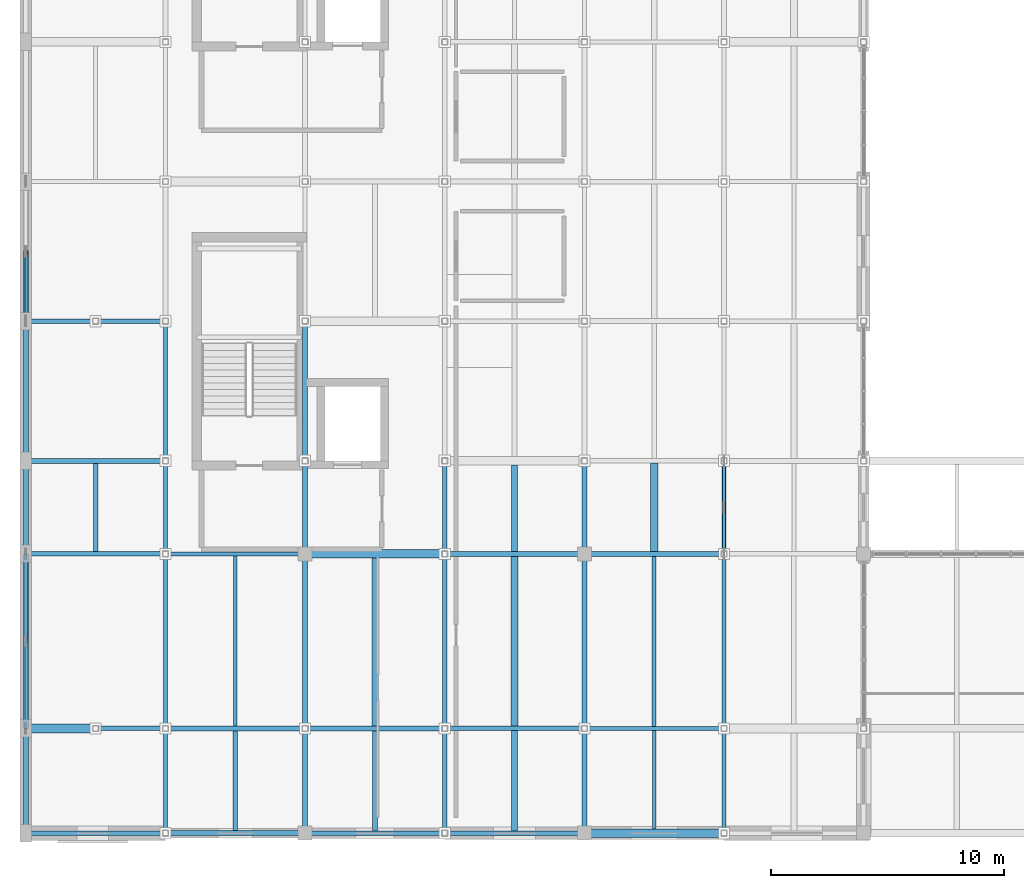
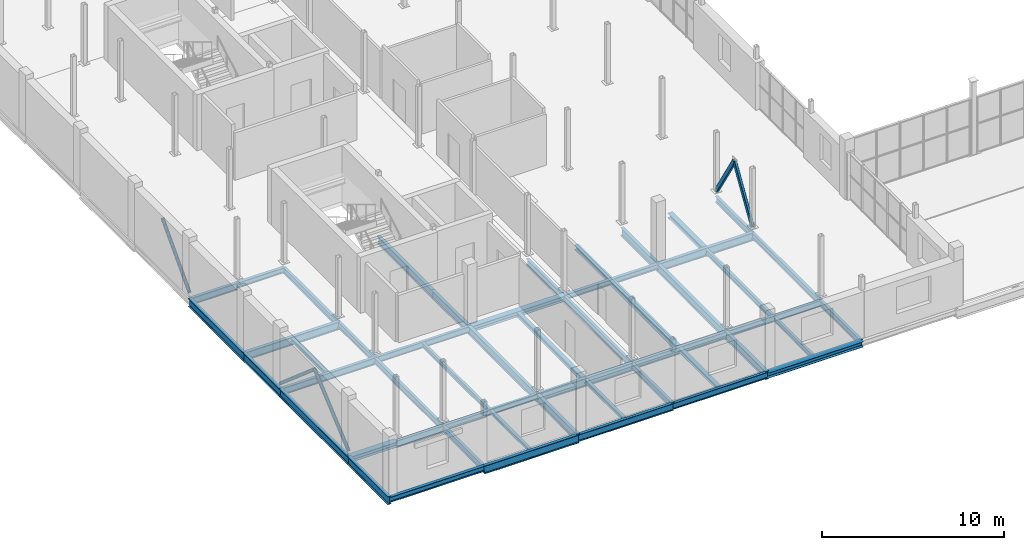
# One storey, part 17 of 96: 51 beams, 5 members.
"""IFC4 building model written with IfcOpenShell, lengths in metres."""

from ifc_helpers import new_model, si_unit, direction, frame, origin, origin_2d, place, context, subcontext, project, spatial, hollow_rectangle, hollow_circle, i_section, extrude, material, material_profile, profile_set, type_object, element, save


model = new_model("IFC4")

# Units and contexts
model_context = context("Model", 3, precision=1e-05, world=origin(), true_north=direction((0.0, 1.0)))
body_context = subcontext(model_context, "Body", "Model", "MODEL_VIEW")
ifc_project = project(units=[si_unit("LENGTHUNIT", "METRE"), si_unit("AREAUNIT", "SQUARE_METRE"), si_unit("VOLUMEUNIT", "CUBIC_METRE"), si_unit("PLANEANGLEUNIT", "RADIAN"), si_unit("MASSUNIT", "GRAM", prefix="KILO")], contexts=[model_context])

# Site, building, storey
site_placement = place(None, origin())
site = spatial("IfcSite", under=ifc_project, at=site_placement, CompositionType="ELEMENT")
building_placement = place(site_placement, origin())
building = spatial("IfcBuilding", under=site, at=building_placement, Name="Verrall Gate Interchange", CompositionType="ELEMENT")
storey_placement = place(building_placement, frame((0.0, 0.0, 11.39990234375)))
storey = spatial("IfcBuildingStorey", under=building, at=storey_placement, Name="L03", CompositionType="ELEMENT", Elevation=11.39990234375)

# Beams
ifc_material_1 = material(Name="Structural Steel CSA G40.21 350W", Category="steel")
ifc_material_profile_1 = material_profile(ifc_material_1, i_section(OverallWidth=0.2109375, OverallDepth=0.5390625, WebThickness=0.01171875, FlangeThickness=0.018798828125, FilletRadius=0.013916015625, at=origin_2d()), Name="W530x109")
ifc_profile_set_1 = profile_set([ifc_material_profile_1], Name="Structural Steel CSA G40.21 350W")
beam_type_1 = type_object("IfcBeamType", Name="B-10 Structural Beam W530x109", PredefinedType="BEAM", material=ifc_profile_set_1)
for number, where, z_axis, x_axis, name in (
    (1, (6.0, 0.0, -0.599365234375), (1.0, 0.0, 0.0), (0.0, 1.0, 0.0), "L03 Girder BM-L03-1976 (B-10)"),
    (2, (12.0, 4.5, -0.599365234375), (1.0, 0.0, 0.0), (0.0, 1.0, 0.0), "L03 Girder BM-L03-1993 (B-10)"),
    (3, (24.0, 12.0, -0.599365234375), (1.0, 0.0, 0.0), (0.0, 1.0, 0.0), "L03 Girder BM-L03-2010 (B-10)"),
    (4, (0.0, 16.0, -0.599365234375), (1.0, 0.0, 0.0), (0.0, 1.0, 0.0), "L03 Girder BM-L03-2027 (B-10)"),
):
    element("IfcBeam", number, at=place(storey_placement, frame(where, z_axis=z_axis, x_axis=x_axis)), inside=storey, type_object=beam_type_1, Name=name, PredefinedType="BEAM", context=body_context, shape_type="SweptSolid", body=[
        extrude(i_section(OverallWidth=0.2109375, OverallDepth=0.5390625, WebThickness=0.01171875, FlangeThickness=0.018798828125, FilletRadius=0.013916015625, at=origin_2d()), origin(), (0.0, 0.0, 1.0), 6.0),
    ])
beam_1_placement = place(storey_placement, frame((0.0, 0.0, -0.599365234375), z_axis=(0.0, 1.0, 0.0), x_axis=(-1.0, 0.0, 0.0)))
element("IfcBeam", 5, at=beam_1_placement, inside=storey, type_object=beam_type_1, Name="L03 Girder BM-L03-2173 (B-10)", PredefinedType="BEAM", context=body_context, shape_type="SweptSolid", body=[
    extrude(i_section(OverallWidth=0.2109375, OverallDepth=0.5390625, WebThickness=0.01171875, FlangeThickness=0.018798828125, FilletRadius=0.013916015625, at=origin_2d()), origin(), (0.0, 0.0, 1.0), 4.5),
])
beam_2_placement = place(storey_placement, frame((0.0, 4.5, -0.599365234375), z_axis=(0.0, 1.0, 0.0), x_axis=(-1.0, 0.0, 0.0)))
element("IfcBeam", 6, at=beam_2_placement, inside=storey, type_object=beam_type_1, Name="L03 Girder BM-L03-2174 (B-10)", PredefinedType="BEAM", context=body_context, shape_type="SweptSolid", body=[
    extrude(i_section(OverallWidth=0.2109375, OverallDepth=0.5390625, WebThickness=0.01171875, FlangeThickness=0.018798828125, FilletRadius=0.013916015625, at=origin_2d()), origin(), (0.0, 0.0, 1.0), 7.5),
])
beam_3_placement = place(storey_placement, frame((0.0, 12.0, -0.599365234375), z_axis=(0.0, 1.0, 0.0), x_axis=(-1.0, 0.0, 0.0)))
element("IfcBeam", 7, at=beam_3_placement, inside=storey, type_object=beam_type_1, Name="L03 Girder BM-L03-2175 (B-10)", PredefinedType="BEAM", context=body_context, shape_type="SweptSolid", body=[
    extrude(i_section(OverallWidth=0.2109375, OverallDepth=0.5390625, WebThickness=0.01171875, FlangeThickness=0.018798828125, FilletRadius=0.013916015625, at=origin_2d()), origin(), (0.0, 0.0, 1.0), 4.0),
])
beam_4_placement = place(storey_placement, frame((0.0, 16.0, -0.599365234375), z_axis=(0.0, 1.0, 0.0), x_axis=(-1.0, 0.0, 0.0)))
element("IfcBeam", 8, at=beam_4_placement, inside=storey, type_object=beam_type_1, Name="L03 Girder BM-L03-2176 (B-10)", PredefinedType="BEAM", context=body_context, shape_type="SweptSolid", body=[
    extrude(i_section(OverallWidth=0.2109375, OverallDepth=0.5390625, WebThickness=0.01171875, FlangeThickness=0.018798828125, FilletRadius=0.013916015625, at=origin_2d()), origin(), (0.0, 0.0, 1.0), 6.0),
])
beam_5_placement = place(storey_placement, frame((12.0, 0.0, -0.599365234375), z_axis=(0.0, 1.0, 0.0), x_axis=(-1.0, 0.0, 0.0)))
element("IfcBeam", 9, at=beam_5_placement, inside=storey, type_object=beam_type_1, Name="L03 Girder BM-L03-2202 (B-10)", PredefinedType="BEAM", context=body_context, shape_type="SweptSolid", body=[
    extrude(i_section(OverallWidth=0.2109375, OverallDepth=0.5390625, WebThickness=0.01171875, FlangeThickness=0.018798828125, FilletRadius=0.013916015625, at=origin_2d()), origin(), (0.0, 0.0, 1.0), 4.5),
])
beam_6_placement = place(storey_placement, frame((12.0, 4.5, -0.599365234375), z_axis=(0.0, 1.0, 0.0), x_axis=(-1.0, 0.0, 0.0)))
element("IfcBeam", 10, at=beam_6_placement, inside=storey, type_object=beam_type_1, Name="L03 Girder BM-L03-2203 (B-10)", PredefinedType="BEAM", context=body_context, shape_type="SweptSolid", body=[
    extrude(i_section(OverallWidth=0.2109375, OverallDepth=0.5390625, WebThickness=0.01171875, FlangeThickness=0.018798828125, FilletRadius=0.013916015625, at=origin_2d()), origin(), (0.0, 0.0, 1.0), 7.5),
])
beam_7_placement = place(storey_placement, frame((12.0, 12.0, -0.599365234375), z_axis=(0.0, 1.0, 0.0), x_axis=(-1.0, 0.0, 0.0)))
element("IfcBeam", 11, at=beam_7_placement, inside=storey, type_object=beam_type_1, Name="L03 Girder BM-L03-2204 (B-10)", PredefinedType="BEAM", context=body_context, shape_type="SweptSolid", body=[
    extrude(i_section(OverallWidth=0.2109375, OverallDepth=0.5390625, WebThickness=0.01171875, FlangeThickness=0.018798828125, FilletRadius=0.013916015625, at=origin_2d()), origin(), (0.0, 0.0, 1.0), 4.0),
])
beam_8_placement = place(storey_placement, frame((12.0, 16.0, -0.599365234375), z_axis=(0.0, 1.0, 0.0), x_axis=(-1.0, 0.0, 0.0)))
element("IfcBeam", 12, at=beam_8_placement, inside=storey, type_object=beam_type_1, Name="L03 Girder BM-L03-2205 (B-10)", PredefinedType="BEAM", context=body_context, shape_type="SweptSolid", body=[
    extrude(i_section(OverallWidth=0.2109375, OverallDepth=0.5390625, WebThickness=0.01171875, FlangeThickness=0.018798828125, FilletRadius=0.013916015625, at=origin_2d()), origin(), (0.0, 0.0, 1.0), 6.0),
])
beam_9_placement = place(storey_placement, frame((24.0, 0.0, -0.599365234375), z_axis=(0.0, 1.0, 0.0), x_axis=(-1.0, 0.0, 0.0)))
element("IfcBeam", 13, at=beam_9_placement, inside=storey, type_object=beam_type_1, Name="L03 Girder BM-L03-2230 (B-10)", PredefinedType="BEAM", context=body_context, shape_type="SweptSolid", body=[
    extrude(i_section(OverallWidth=0.2109375, OverallDepth=0.5390625, WebThickness=0.01171875, FlangeThickness=0.018798828125, FilletRadius=0.013916015625, at=origin_2d()), origin(), (0.0, 0.0, 1.0), 4.5),
])
beam_10_placement = place(storey_placement, frame((24.0, 4.5, -0.599365234375), z_axis=(0.0, 1.0, 0.0), x_axis=(-1.0, 0.0, 0.0)))
element("IfcBeam", 14, at=beam_10_placement, inside=storey, type_object=beam_type_1, Name="L03 Girder BM-L03-2231 (B-10)", PredefinedType="BEAM", context=body_context, shape_type="SweptSolid", body=[
    extrude(i_section(OverallWidth=0.2109375, OverallDepth=0.5390625, WebThickness=0.01171875, FlangeThickness=0.018798828125, FilletRadius=0.013916015625, at=origin_2d()), origin(), (0.0, 0.0, 1.0), 7.5),
])
beam_11_placement = place(storey_placement, frame((24.0, 12.0, -0.599365234375), z_axis=(0.0, 1.0, 0.0), x_axis=(-1.0, 0.0, 0.0)))
element("IfcBeam", 15, at=beam_11_placement, inside=storey, type_object=beam_type_1, Name="L03 Girder BM-L03-2232 (B-10)", PredefinedType="BEAM", context=body_context, shape_type="SweptSolid", body=[
    extrude(i_section(OverallWidth=0.2109375, OverallDepth=0.5390625, WebThickness=0.01171875, FlangeThickness=0.018798828125, FilletRadius=0.013916015625, at=origin_2d()), origin(), (0.0, 0.0, 1.0), 4.0),
])
ifc_material_2 = material(Name="Structural Steel CSA G40.21 350W", Category="steel")
ifc_material_profile_2 = material_profile(ifc_material_2, i_section(OverallWidth=0.19189453125, OverallDepth=0.462890625, WebThickness=0.010498046875, FlangeThickness=0.017578125, FilletRadius=0.012939453125, at=origin_2d()), Name="W460x89")
ifc_profile_set_2 = profile_set([ifc_material_profile_2], Name="Structural Steel CSA G40.21 350W")
beam_type_2 = type_object("IfcBeamType", Name="B-11 Structural Beam W460x89", PredefinedType="BEAM", material=ifc_profile_set_2)
beam_12_placement = place(storey_placement, frame((12.0, 0.0, -0.5615234375), z_axis=(1.0, 0.0, 0.0), x_axis=(0.0, 1.0, 0.0)))
element("IfcBeam", 16, at=beam_12_placement, inside=storey, type_object=beam_type_2, Name="L03 Girder BM-L03-1977 (B-11)", PredefinedType="BEAM", context=body_context, shape_type="SweptSolid", body=[
    extrude(i_section(OverallWidth=0.19189453125, OverallDepth=0.462890625, WebThickness=0.010498046875, FlangeThickness=0.017578125, FilletRadius=0.012939453125, at=origin_2d()), origin(), (0.0, 0.0, 1.0), 6.0),
])
beam_13_placement = place(storey_placement, frame((3.0, 4.5, -0.5615234375), z_axis=(1.0, 0.0, 0.0), x_axis=(0.0, 1.0, 0.0)))
element("IfcBeam", 17, at=beam_13_placement, inside=storey, type_object=beam_type_2, Name="L03 Girder BM-L03-1991 (B-11)", PredefinedType="BEAM", context=body_context, shape_type="SweptSolid", body=[
    extrude(i_section(OverallWidth=0.19189453125, OverallDepth=0.462890625, WebThickness=0.010498046875, FlangeThickness=0.017578125, FilletRadius=0.012939453125, at=origin_2d()), origin(), (0.0, 0.0, 1.0), 3.0),
])
for number, where, z_axis, x_axis, name in (
    (18, (18.0, 4.5, -0.5615234375), (1.0, 0.0, 0.0), (0.0, 1.0, 0.0), "L03 Girder BM-L03-1994 (B-11)"),
    (19, (0.0, 12.0, -0.5615234375), (1.0, 0.0, 0.0), (0.0, 1.0, 0.0), "L03 Girder BM-L03-2006 (B-11)"),
):
    element("IfcBeam", number, at=place(storey_placement, frame(where, z_axis=z_axis, x_axis=x_axis)), inside=storey, type_object=beam_type_2, Name=name, PredefinedType="BEAM", context=body_context, shape_type="SweptSolid", body=[
        extrude(i_section(OverallWidth=0.19189453125, OverallDepth=0.462890625, WebThickness=0.010498046875, FlangeThickness=0.017578125, FilletRadius=0.012939453125, at=origin_2d()), origin(), (0.0, 0.0, 1.0), 6.0),
    ])
beam_14_placement = place(storey_placement, frame((0.0, 22.0, -0.5615234375), z_axis=(1.0, 0.0, 0.0), x_axis=(0.0, 1.0, 0.0)))
element("IfcBeam", 20, at=beam_14_placement, inside=storey, type_object=beam_type_2, Name="L03 Girder BM-L03-2044 (B-11)", PredefinedType="BEAM", context=body_context, shape_type="SweptSolid", body=[
    extrude(i_section(OverallWidth=0.19189453125, OverallDepth=0.462890625, WebThickness=0.010498046875, FlangeThickness=0.017578125, FilletRadius=0.012939453125, at=origin_2d()), origin(), (0.0, 0.0, 1.0), 3.0),
])
ifc_material_3 = material(Name="Structural Steel CSA G40.21 350W", Category="steel")
ifc_material_profile_3 = material_profile(ifc_material_3, i_section(OverallWidth=0.178955078125, OverallDepth=0.409912109375, WebThickness=0.0087890625, FlangeThickness=0.014404296875, FilletRadius=0.011962890625, at=origin_2d()), Name="W410x67")
ifc_profile_set_3 = profile_set([ifc_material_profile_3], Name="Structural Steel CSA G40.21 350W")
beam_type_3 = type_object("IfcBeamType", Name="B-12 Structural Beam W410x67", PredefinedType="BEAM", material=ifc_profile_set_3)
for number, where, z_axis, x_axis, name in (
    (21, (18.0, 0.0, -0.534912109375), (1.0, 0.0, 0.0), (0.0, 1.0, 0.0), "L03 Girder BM-L03-1978 (B-12)"),
    (22, (24.0, 4.5, -0.534912109375), (1.0, 0.0, 0.0), (0.0, 1.0, 0.0), "L03 Girder BM-L03-1995 (B-12)"),
    (23, (6.0, 12.0, -0.534912109375), (1.0, 0.0, 0.0), (0.0, 1.0, 0.0), "L03 Girder BM-L03-2007 (B-12)"),
):
    element("IfcBeam", number, at=place(storey_placement, frame(where, z_axis=z_axis, x_axis=x_axis)), inside=storey, type_object=beam_type_3, Name=name, PredefinedType="BEAM", context=body_context, shape_type="SweptSolid", body=[
        extrude(i_section(OverallWidth=0.178955078125, OverallDepth=0.409912109375, WebThickness=0.0087890625, FlangeThickness=0.014404296875, FilletRadius=0.011962890625, at=origin_2d()), origin(), (0.0, 0.0, 1.0), 6.0),
    ])
beam_15_placement = place(storey_placement, frame((6.0, 0.0, -0.534912109375), z_axis=(0.0, 1.0, 0.0), x_axis=(-1.0, 0.0, 0.0)))
element("IfcBeam", 24, at=beam_15_placement, inside=storey, type_object=beam_type_3, Name="L03 Girder BM-L03-2188 (B-12)", PredefinedType="BEAM", context=body_context, shape_type="SweptSolid", body=[
    extrude(i_section(OverallWidth=0.178955078125, OverallDepth=0.409912109375, WebThickness=0.0087890625, FlangeThickness=0.014404296875, FilletRadius=0.011962890625, at=origin_2d()), origin(), (0.0, 0.0, 1.0), 4.5),
])
beam_16_placement = place(storey_placement, frame((6.0, 4.5, -0.534912109375), z_axis=(0.0, 1.0, 0.0), x_axis=(-1.0, 0.0, 0.0)))
element("IfcBeam", 25, at=beam_16_placement, inside=storey, type_object=beam_type_3, Name="L03 Girder BM-L03-2189 (B-12)", PredefinedType="BEAM", context=body_context, shape_type="SweptSolid", body=[
    extrude(i_section(OverallWidth=0.178955078125, OverallDepth=0.409912109375, WebThickness=0.0087890625, FlangeThickness=0.014404296875, FilletRadius=0.011962890625, at=origin_2d()), origin(), (0.0, 0.0, 1.0), 7.5),
])
beam_17_placement = place(storey_placement, frame((6.0, 12.0, -0.534912109375), z_axis=(0.0, 1.0, 0.0), x_axis=(-1.0, 0.0, 0.0)))
element("IfcBeam", 26, at=beam_17_placement, inside=storey, type_object=beam_type_3, Name="L03 Girder BM-L03-2190 (B-12)", PredefinedType="BEAM", context=body_context, shape_type="SweptSolid", body=[
    extrude(i_section(OverallWidth=0.178955078125, OverallDepth=0.409912109375, WebThickness=0.0087890625, FlangeThickness=0.014404296875, FilletRadius=0.011962890625, at=origin_2d()), origin(), (0.0, 0.0, 1.0), 4.0),
])
beam_18_placement = place(storey_placement, frame((6.0, 16.0, -0.534912109375), z_axis=(0.0, 1.0, 0.0), x_axis=(-1.0, 0.0, 0.0)))
element("IfcBeam", 27, at=beam_18_placement, inside=storey, type_object=beam_type_3, Name="L03 Girder BM-L03-2191 (B-12)", PredefinedType="BEAM", context=body_context, shape_type="SweptSolid", body=[
    extrude(i_section(OverallWidth=0.178955078125, OverallDepth=0.409912109375, WebThickness=0.0087890625, FlangeThickness=0.014404296875, FilletRadius=0.011962890625, at=origin_2d()), origin(), (0.0, 0.0, 1.0), 6.0),
])
beam_19_placement = place(storey_placement, frame((18.0, 0.0, -0.534912109375), z_axis=(0.0, 1.0, 0.0), x_axis=(-1.0, 0.0, 0.0)))
element("IfcBeam", 28, at=beam_19_placement, inside=storey, type_object=beam_type_3, Name="L03 Girder BM-L03-2216 (B-12)", PredefinedType="BEAM", context=body_context, shape_type="SweptSolid", body=[
    extrude(i_section(OverallWidth=0.178955078125, OverallDepth=0.409912109375, WebThickness=0.0087890625, FlangeThickness=0.014404296875, FilletRadius=0.011962890625, at=origin_2d()), origin(), (0.0, 0.0, 1.0), 4.5),
])
beam_20_placement = place(storey_placement, frame((18.0, 4.5, -0.534912109375), z_axis=(0.0, 1.0, 0.0), x_axis=(-1.0, 0.0, 0.0)))
element("IfcBeam", 29, at=beam_20_placement, inside=storey, type_object=beam_type_3, Name="L03 Girder BM-L03-2217 (B-12)", PredefinedType="BEAM", context=body_context, shape_type="SweptSolid", body=[
    extrude(i_section(OverallWidth=0.178955078125, OverallDepth=0.409912109375, WebThickness=0.0087890625, FlangeThickness=0.014404296875, FilletRadius=0.011962890625, at=origin_2d()), origin(), (0.0, 0.0, 1.0), 7.5),
])
beam_21_placement = place(storey_placement, frame((18.0, 12.0, -0.534912109375), z_axis=(0.0, 1.0, 0.0), x_axis=(-1.0, 0.0, 0.0)))
element("IfcBeam", 30, at=beam_21_placement, inside=storey, type_object=beam_type_3, Name="L03 Girder BM-L03-2218 (B-12)", PredefinedType="BEAM", context=body_context, shape_type="SweptSolid", body=[
    extrude(i_section(OverallWidth=0.178955078125, OverallDepth=0.409912109375, WebThickness=0.0087890625, FlangeThickness=0.014404296875, FilletRadius=0.011962890625, at=origin_2d()), origin(), (0.0, 0.0, 1.0), 4.0),
])
beam_22_placement = place(storey_placement, frame((30.0, 0.0, -0.534912109375), z_axis=(0.0, 1.0, 0.0), x_axis=(-1.0, 0.0, 0.0)))
element("IfcBeam", 31, at=beam_22_placement, inside=storey, type_object=beam_type_3, Name="L03 Girder BM-L03-2244 (B-12)", PredefinedType="BEAM", context=body_context, shape_type="SweptSolid", body=[
    extrude(i_section(OverallWidth=0.178955078125, OverallDepth=0.409912109375, WebThickness=0.0087890625, FlangeThickness=0.014404296875, FilletRadius=0.011962890625, at=origin_2d()), origin(), (0.0, 0.0, 1.0), 4.5),
])
beam_23_placement = place(storey_placement, frame((30.0, 4.5, -0.534912109375), z_axis=(0.0, 1.0, 0.0), x_axis=(-1.0, 0.0, 0.0)))
element("IfcBeam", 32, at=beam_23_placement, inside=storey, type_object=beam_type_3, Name="L03 Girder BM-L03-2245 (B-12)", PredefinedType="BEAM", context=body_context, shape_type="SweptSolid", body=[
    extrude(i_section(OverallWidth=0.178955078125, OverallDepth=0.409912109375, WebThickness=0.0087890625, FlangeThickness=0.014404296875, FilletRadius=0.011962890625, at=origin_2d()), origin(), (0.0, 0.0, 1.0), 7.5),
])
beam_24_placement = place(storey_placement, frame((30.0, 12.0, -0.534912109375), z_axis=(0.0, 1.0, 0.0), x_axis=(-1.0, 0.0, 0.0)))
element("IfcBeam", 33, at=beam_24_placement, inside=storey, type_object=beam_type_3, Name="L03 Girder BM-L03-2246 (B-12)", PredefinedType="BEAM", context=body_context, shape_type="SweptSolid", body=[
    extrude(i_section(OverallWidth=0.178955078125, OverallDepth=0.409912109375, WebThickness=0.0087890625, FlangeThickness=0.014404296875, FilletRadius=0.011962890625, at=origin_2d()), origin(), (0.0, 0.0, 1.0), 4.0),
])
ifc_material_4 = material(Name="Structural Steel CSA G40.21 350W", Category="steel")
ifc_material_profile_4 = material_profile(ifc_material_4, i_section(OverallWidth=0.368896484375, OverallDepth=0.35595703125, WebThickness=0.01123046875, FlangeThickness=0.01806640625, FilletRadius=0.014892578125, at=origin_2d()), Name="W360x134")
ifc_profile_set_4 = profile_set([ifc_material_profile_4], Name="Structural Steel CSA G40.21 350W")
beam_type_4 = type_object("IfcBeamType", Name="B-13 Structural Beam W360x134", PredefinedType="BEAM", material=ifc_profile_set_4)
beam_25_placement = place(storey_placement, frame((24.0, 0.0, -0.5078125), z_axis=(1.0, 0.0, 0.0), x_axis=(0.0, 1.0, 0.0)))
element("IfcBeam", 34, at=beam_25_placement, inside=storey, type_object=beam_type_4, Name="L03 Girder BM-L03-1979 (B-13)", PredefinedType="BEAM", context=body_context, shape_type="SweptSolid", body=[
    extrude(i_section(OverallWidth=0.368896484375, OverallDepth=0.35595703125, WebThickness=0.01123046875, FlangeThickness=0.01806640625, FilletRadius=0.014892578125, at=origin_2d()), origin(), (0.0, 0.0, 1.0), 6.0),
])
beam_26_placement = place(storey_placement, frame((0.0, 4.5, -0.5078125), z_axis=(1.0, 0.0, 0.0), x_axis=(0.0, 1.0, 0.0)))
element("IfcBeam", 35, at=beam_26_placement, inside=storey, type_object=beam_type_4, Name="L03 Girder BM-L03-1990 (B-13)", PredefinedType="BEAM", context=body_context, shape_type="SweptSolid", body=[
    extrude(i_section(OverallWidth=0.368896484375, OverallDepth=0.35595703125, WebThickness=0.01123046875, FlangeThickness=0.01806640625, FilletRadius=0.014892578125, at=origin_2d()), origin(), (0.0, 0.0, 1.0), 3.0),
])
beam_27_placement = place(storey_placement, frame((12.0, 12.0, -0.5078125), z_axis=(1.0, 0.0, 0.0), x_axis=(0.0, 1.0, 0.0)))
element("IfcBeam", 36, at=beam_27_placement, inside=storey, type_object=beam_type_4, Name="L03 Girder BM-L03-2008 (B-13)", PredefinedType="BEAM", context=body_context, shape_type="SweptSolid", body=[
    extrude(i_section(OverallWidth=0.368896484375, OverallDepth=0.35595703125, WebThickness=0.01123046875, FlangeThickness=0.01806640625, FilletRadius=0.014892578125, at=origin_2d()), origin(), (0.0, 0.0, 1.0), 6.0),
])
ifc_material_5 = material(Name="Structural Steel CSA G40.21 350W", Category="steel")
ifc_material_profile_5 = material_profile(ifc_material_5, i_section(OverallWidth=0.205078125, OverallDepth=0.35400390625, WebThickness=0.009521484375, FlangeThickness=0.016845703125, FilletRadius=0.012939453125, at=origin_2d()), Name="W360x79")
ifc_profile_set_5 = profile_set([ifc_material_profile_5], Name="Structural Steel CSA G40.21 350W")
beam_type_5 = type_object("IfcBeamType", Name="B-14 Structural Beam W360x79", PredefinedType="BEAM", material=ifc_profile_set_5)
for number, where, z_axis, x_axis, name in (
    (37, (0.0, 0.0, -0.5068359375), (1.0, 0.0, 0.0), (0.0, 1.0, 0.0), "L03 Girder BM-L03-1975 (B-14)"),
    (38, (6.0, 4.5, -0.5068359375), (1.0, 0.0, 0.0), (0.0, 1.0, 0.0), "L03 Girder BM-L03-1992 (B-14)"),
    (39, (18.0, 12.0, -0.5068359375), (1.0, 0.0, 0.0), (0.0, 1.0, 0.0), "L03 Girder BM-L03-2009 (B-14)"),
):
    element("IfcBeam", number, at=place(storey_placement, frame(where, z_axis=z_axis, x_axis=x_axis)), inside=storey, type_object=beam_type_5, Name=name, PredefinedType="BEAM", context=body_context, shape_type="SweptSolid", body=[
        extrude(i_section(OverallWidth=0.205078125, OverallDepth=0.35400390625, WebThickness=0.009521484375, FlangeThickness=0.016845703125, FilletRadius=0.012939453125, at=origin_2d()), origin(), (0.0, 0.0, 1.0), 6.0),
    ])
beam_28_placement = place(storey_placement, frame((3.0, 22.0, -0.5068359375), z_axis=(1.0, 0.0, 0.0), x_axis=(0.0, 1.0, 0.0)))
element("IfcBeam", 40, at=beam_28_placement, inside=storey, type_object=beam_type_5, Name="L03 Girder BM-L03-2045 (B-14)", PredefinedType="BEAM", context=body_context, shape_type="SweptSolid", body=[
    extrude(i_section(OverallWidth=0.205078125, OverallDepth=0.35400390625, WebThickness=0.009521484375, FlangeThickness=0.016845703125, FilletRadius=0.012939453125, at=origin_2d()), origin(), (0.0, 0.0, 1.0), 3.0),
])

# Members
ifc_material_6 = material(Name="Structural Steel CSA G40.21 350W", Category="steel")
ifc_material_profile_6 = material_profile(ifc_material_6, hollow_circle(Radius=0.109619140625, WallThickness=0.008056640625, at=origin_2d()), Name="HSS219x8.0")
ifc_profile_set_6 = profile_set([ifc_material_profile_6], Name="Structural Steel CSA G40.21 350W")
member_type_1 = type_object("IfcMemberType", Name="BR-02 Diagonal Brace HSS219x8.0", PredefinedType="BRACE", material=ifc_profile_set_6)
for number, where, z_axis, x_axis, name in (
    (41, (0.0, 4.5, 0.0), (0.0, 0.758663581556, 0.651482593797), (-1.0, 0.0, 0.0), "Chevron Brace CBF1 L03 Leg A"),
    (42, (0.0, 12.0, 0.0), (0.0, -0.758663581556, 0.651482593797), (1.0, 0.0, 0.0), "Chevron Brace CBF1 L03 Leg B"),
):
    element("IfcMember", number, at=place(storey_placement, frame(where, z_axis=z_axis, x_axis=x_axis)), inside=storey, type_object=member_type_1, Name=name, PredefinedType="BRACE", context=body_context, shape_type="SweptSolid", body=[
        extrude(hollow_circle(Radius=0.109619140625, WallThickness=0.008056640625, at=origin_2d()), origin(), (0.0, 0.0, 1.0), 4.94287109375),
    ])
member_placement = place(storey_placement, frame((0.0, 22.0, 0.0), z_axis=(0.0, 0.681645967553, 0.731682154299), x_axis=(-1.0, 0.0, 0.0)))
element("IfcMember", 43, at=member_placement, inside=storey, type_object=member_type_1, Name="Chevron Brace CBF2 L03 Leg A", PredefinedType="BRACE", context=body_context, shape_type="SweptSolid", body=[
    extrude(hollow_circle(Radius=0.109619140625, WallThickness=0.008056640625, at=origin_2d()), origin(), (0.0, 0.0, 1.0), 4.401123046875),
])
ifc_material_7 = material(Name="Structural Steel CSA G40.21 350W", Category="steel")
ifc_material_profile_7 = material_profile(ifc_material_7, hollow_rectangle(XDim=0.152099609375, YDim=0.25390625, WallThickness=0.009521484375, InnerFilletRadius=0.009521484375, OuterFilletRadius=0.01904296875, at=origin_2d()), Name="HSS254x152x9.5")
ifc_profile_set_7 = profile_set([ifc_material_profile_7], Name="Structural Steel CSA G40.21 350W")
member_type_2 = type_object("IfcMemberType", Name="BR-05 Diagonal Brace HSS254x152x9.5", PredefinedType="BRACE", material=ifc_profile_set_7)
for number, where, z_axis, x_axis, name in (
    (44, (30.0, 12.0, 0.0), (0.0, 0.527600114435, 0.849492860034), (-1.0, 0.0, 0.0), "Chevron Brace CBF5 L03 Leg A"),
    (45, (30.0, 16.0, 0.0), (0.0, -0.527600114435, 0.849492860034), (1.0, 0.0, 0.0), "Chevron Brace CBF5 L03 Leg B"),
):
    element("IfcMember", number, at=place(storey_placement, frame(where, z_axis=z_axis, x_axis=x_axis)), inside=storey, type_object=member_type_2, Name=name, PredefinedType="BRACE", context=body_context, shape_type="SweptSolid", body=[
        extrude(hollow_rectangle(XDim=0.152099609375, YDim=0.25390625, WallThickness=0.009521484375, InnerFilletRadius=0.009521484375, OuterFilletRadius=0.01904296875, at=origin_2d()), origin(), (0.0, 0.0, 1.0), 3.790771484375),
    ])

# Beams
ifc_material_8 = material(Name="Structural Steel CSA G40.21 350W", Category="steel")
ifc_material_profile_8 = material_profile(ifc_material_8, i_section(OverallWidth=0.172119140625, OverallDepth=0.35791015625, WebThickness=0.0078125, FlangeThickness=0.01318359375, FilletRadius=0.010986328125, at=origin_2d()), Name="W360x57")
ifc_profile_set_8 = profile_set([ifc_material_profile_8], Name="Structural Steel CSA G40.21 350W")
beam_type_6 = type_object("IfcBeamType", Name="J-01 Floor Joist W360x57", PredefinedType="JOIST", material=ifc_profile_set_8)
beam_29_placement = place(storey_placement, frame((27.0, 4.589599609375, -0.5087890625), z_axis=(0.0, 1.0, 0.0), x_axis=(-1.0, 0.0, 0.0)))
element("IfcBeam", 46, at=beam_29_placement, inside=storey, type_object=beam_type_6, Name="L03 Secondary Floor Joist JST-L03-2396", PredefinedType="JOIST", context=body_context, shape_type="SweptSolid", body=[
    extrude(i_section(OverallWidth=0.172119140625, OverallDepth=0.35791015625, WebThickness=0.0078125, FlangeThickness=0.01318359375, FilletRadius=0.010986328125, at=origin_2d()), origin(), (0.0, 0.0, 1.0), 7.304931640625),
])
ifc_material_9 = material(Name="Structural Steel CSA G40.21 350W", Category="steel")
ifc_material_profile_9 = material_profile(ifc_material_9, i_section(OverallWidth=0.306884765625, OverallDepth=0.31396484375, WebThickness=0.011962890625, FlangeThickness=0.018798828125, FilletRadius=0.013916015625, at=origin_2d()), Name="W310x118")
ifc_profile_set_9 = profile_set([ifc_material_profile_9], Name="Structural Steel CSA G40.21 350W")
beam_type_7 = type_object("IfcBeamType", Name="J-02 Floor Joist W310x118", PredefinedType="JOIST", material=ifc_profile_set_9)
beam_30_placement = place(storey_placement, frame((21.0, 4.595947265625, -0.48681640625), z_axis=(0.0, 1.0, 0.0), x_axis=(-1.0, 0.0, 0.0)))
element("IfcBeam", 47, at=beam_30_placement, inside=storey, type_object=beam_type_7, Name="L03 Secondary Floor Joist JST-L03-2395", PredefinedType="JOIST", context=body_context, shape_type="SweptSolid", body=[
    extrude(i_section(OverallWidth=0.306884765625, OverallDepth=0.31396484375, WebThickness=0.011962890625, FlangeThickness=0.018798828125, FilletRadius=0.013916015625, at=origin_2d()), origin(), (0.0, 0.0, 1.0), 7.301513671875),
])
beam_31_placement = place(storey_placement, frame((27.0, 12.10546875, -0.48681640625), z_axis=(0.0, 1.0, 0.0), x_axis=(-1.0, 0.0, 0.0)))
element("IfcBeam", 48, at=beam_31_placement, inside=storey, type_object=beam_type_7, Name="L03 Secondary Floor Joist JST-L03-2409", PredefinedType="JOIST", context=body_context, shape_type="SweptSolid", body=[
    extrude(i_section(OverallWidth=0.306884765625, OverallDepth=0.31396484375, WebThickness=0.011962890625, FlangeThickness=0.018798828125, FilletRadius=0.013916015625, at=origin_2d()), origin(), (0.0, 0.0, 1.0), 3.7919921875),
])
ifc_material_10 = material(Name="Structural Steel CSA G40.21 350W", Category="steel")
ifc_material_profile_10 = material_profile(ifc_material_10, i_section(OverallWidth=0.25390625, OverallDepth=0.305908203125, WebThickness=0.0087890625, FlangeThickness=0.0146484375, FilletRadius=0.012939453125, at=origin_2d()), Name="W310x79")
ifc_profile_set_10 = profile_set([ifc_material_profile_10], Name="Structural Steel CSA G40.21 350W")
beam_type_8 = type_object("IfcBeamType", Name="J-03 Floor Joist W310x79", PredefinedType="JOIST", material=ifc_profile_set_10)
beam_32_placement = place(storey_placement, frame((15.0, 4.60546875, -0.48291015625), z_axis=(0.0, 1.0, 0.0), x_axis=(-1.0, 0.0, 0.0)))
element("IfcBeam", 49, at=beam_32_placement, inside=storey, type_object=beam_type_8, Name="L03 Secondary Floor Joist JST-L03-2394", PredefinedType="JOIST", context=body_context, shape_type="SweptSolid", body=[
    extrude(i_section(OverallWidth=0.25390625, OverallDepth=0.305908203125, WebThickness=0.0087890625, FlangeThickness=0.0146484375, FilletRadius=0.012939453125, at=origin_2d()), origin(), (0.0, 0.0, 1.0), 7.2099609375),
])
beam_33_placement = place(storey_placement, frame((21.0, 12.1025390625, -0.48291015625), z_axis=(0.0, 1.0, 0.0), x_axis=(-1.0, 0.0, 0.0)))
element("IfcBeam", 50, at=beam_33_placement, inside=storey, type_object=beam_type_8, Name="L03 Secondary Floor Joist JST-L03-2408", PredefinedType="JOIST", context=body_context, shape_type="SweptSolid", body=[
    extrude(i_section(OverallWidth=0.25390625, OverallDepth=0.305908203125, WebThickness=0.0087890625, FlangeThickness=0.0146484375, FilletRadius=0.012939453125, at=origin_2d()), origin(), (0.0, 0.0, 1.0), 3.712890625),
])
ifc_material_11 = material(Name="Structural Steel CSA G40.21 350W", Category="steel")
ifc_material_profile_11 = material_profile(ifc_material_11, i_section(OverallWidth=0.1650390625, OverallDepth=0.31005859375, WebThickness=0.005859375, FlangeThickness=0.009765625, FilletRadius=0.010009765625, at=origin_2d()), Name="W310x39")
ifc_profile_set_11 = profile_set([ifc_material_profile_11], Name="Structural Steel CSA G40.21 350W")
beam_type_9 = type_object("IfcBeamType", Name="J-04 Floor Joist W310x39", PredefinedType="JOIST", material=ifc_profile_set_11)
beam_34_placement = place(storey_placement, frame((27.0, 0.1845703125, -0.48486328125), z_axis=(0.0, 1.0, 0.0), x_axis=(-1.0, 0.0, 0.0)))
element("IfcBeam", 51, at=beam_34_placement, inside=storey, type_object=beam_type_9, Name="L03 Secondary Floor Joist JST-L03-2382", PredefinedType="JOIST", context=body_context, shape_type="SweptSolid", body=[
    extrude(i_section(OverallWidth=0.1650390625, OverallDepth=0.31005859375, WebThickness=0.005859375, FlangeThickness=0.009765625, FilletRadius=0.010009765625, at=origin_2d()), origin(), (0.0, 0.0, 1.0), 4.225830078125),
])
beam_35_placement = place(storey_placement, frame((9.0, 4.6025390625, -0.48486328125), z_axis=(0.0, 1.0, 0.0), x_axis=(-1.0, 0.0, 0.0)))
element("IfcBeam", 52, at=beam_35_placement, inside=storey, type_object=beam_type_9, Name="L03 Secondary Floor Joist JST-L03-2393", PredefinedType="JOIST", context=body_context, shape_type="SweptSolid", body=[
    extrude(i_section(OverallWidth=0.1650390625, OverallDepth=0.31005859375, WebThickness=0.005859375, FlangeThickness=0.009765625, FilletRadius=0.010009765625, at=origin_2d()), origin(), (0.0, 0.0, 1.0), 7.307861328125),
])
ifc_material_12 = material(Name="Structural Steel CSA G40.21 350W", Category="steel")
ifc_material_profile_12 = material_profile(ifc_material_12, i_section(OverallWidth=0.25390625, OverallDepth=0.2529296875, WebThickness=0.008544921875, FlangeThickness=0.01416015625, FilletRadius=0.011962890625, at=origin_2d()), Name="W250x73")
ifc_profile_set_12 = profile_set([ifc_material_profile_12], Name="Structural Steel CSA G40.21 350W")
beam_type_10 = type_object("IfcBeamType", Name="J-05 Floor Joist W250x73", PredefinedType="JOIST", material=ifc_profile_set_12)
beam_36_placement = place(storey_placement, frame((21.0, 0.089599609375, -0.456298828125), z_axis=(0.0, 1.0, 0.0), x_axis=(-1.0, 0.0, 0.0)))
element("IfcBeam", 53, at=beam_36_placement, inside=storey, type_object=beam_type_10, Name="L03 Secondary Floor Joist JST-L03-2381", PredefinedType="JOIST", context=body_context, shape_type="SweptSolid", body=[
    extrude(i_section(OverallWidth=0.25390625, OverallDepth=0.2529296875, WebThickness=0.008544921875, FlangeThickness=0.01416015625, FilletRadius=0.011962890625, at=origin_2d()), origin(), (0.0, 0.0, 1.0), 4.314453125),
])
ifc_material_13 = material(Name="Structural Steel CSA G40.21 350W", Category="steel")
ifc_material_profile_13 = material_profile(ifc_material_13, i_section(OverallWidth=0.201904296875, OverallDepth=0.2470703125, WebThickness=0.00732421875, FlangeThickness=0.010986328125, FilletRadius=0.010986328125, at=origin_2d()), Name="W250x49")
ifc_profile_set_13 = profile_set([ifc_material_profile_13], Name="Structural Steel CSA G40.21 350W")
beam_type_11 = type_object("IfcBeamType", Name="J-06 Floor Joist W250x49", PredefinedType="JOIST", material=ifc_profile_set_13)
beam_37_placement = place(storey_placement, frame((15.0, 0.095947265625, -0.453369140625), z_axis=(0.0, 1.0, 0.0), x_axis=(-1.0, 0.0, 0.0)))
element("IfcBeam", 54, at=beam_37_placement, inside=storey, type_object=beam_type_11, Name="L03 Secondary Floor Joist JST-L03-2380", PredefinedType="JOIST", context=body_context, shape_type="SweptSolid", body=[
    extrude(i_section(OverallWidth=0.201904296875, OverallDepth=0.2470703125, WebThickness=0.00732421875, FlangeThickness=0.010986328125, FilletRadius=0.010986328125, at=origin_2d()), origin(), (0.0, 0.0, 1.0), 4.298583984375),
])
beam_38_placement = place(storey_placement, frame((3.0, 12.095947265625, -0.453369140625), z_axis=(0.0, 1.0, 0.0), x_axis=(-1.0, 0.0, 0.0)))
element("IfcBeam", 55, at=beam_38_placement, inside=storey, type_object=beam_type_11, Name="L03 Secondary Floor Joist JST-L03-2407", PredefinedType="JOIST", context=body_context, shape_type="SweptSolid", body=[
    extrude(i_section(OverallWidth=0.201904296875, OverallDepth=0.2470703125, WebThickness=0.00732421875, FlangeThickness=0.010986328125, FilletRadius=0.010986328125, at=origin_2d()), origin(), (0.0, 0.0, 1.0), 3.798583984375),
])
ifc_material_14 = material(Name="Structural Steel CSA G40.21 350W", Category="steel")
ifc_material_profile_14 = material_profile(ifc_material_14, i_section(OverallWidth=0.202880859375, OverallDepth=0.202880859375, WebThickness=0.007080078125, FlangeThickness=0.010986328125, FilletRadius=0.010009765625, at=origin_2d()), Name="W200x46")
ifc_profile_set_14 = profile_set([ifc_material_profile_14], Name="Structural Steel CSA G40.21 350W")
beam_type_12 = type_object("IfcBeamType", Name="J-07 Floor Joist W200x46", PredefinedType="JOIST", material=ifc_profile_set_14)
beam_39_placement = place(storey_placement, frame((9.0, 0.10546875, -0.431396484375), z_axis=(0.0, 1.0, 0.0), x_axis=(-1.0, 0.0, 0.0)))
element("IfcBeam", 56, at=beam_39_placement, inside=storey, type_object=beam_type_12, Name="L03 Secondary Floor Joist JST-L03-2379", PredefinedType="JOIST", context=body_context, shape_type="SweptSolid", body=[
    extrude(i_section(OverallWidth=0.202880859375, OverallDepth=0.202880859375, WebThickness=0.007080078125, FlangeThickness=0.010986328125, FilletRadius=0.010009765625, at=origin_2d()), origin(), (0.0, 0.0, 1.0), 4.2919921875),
])

save(model, "model.ifc")
